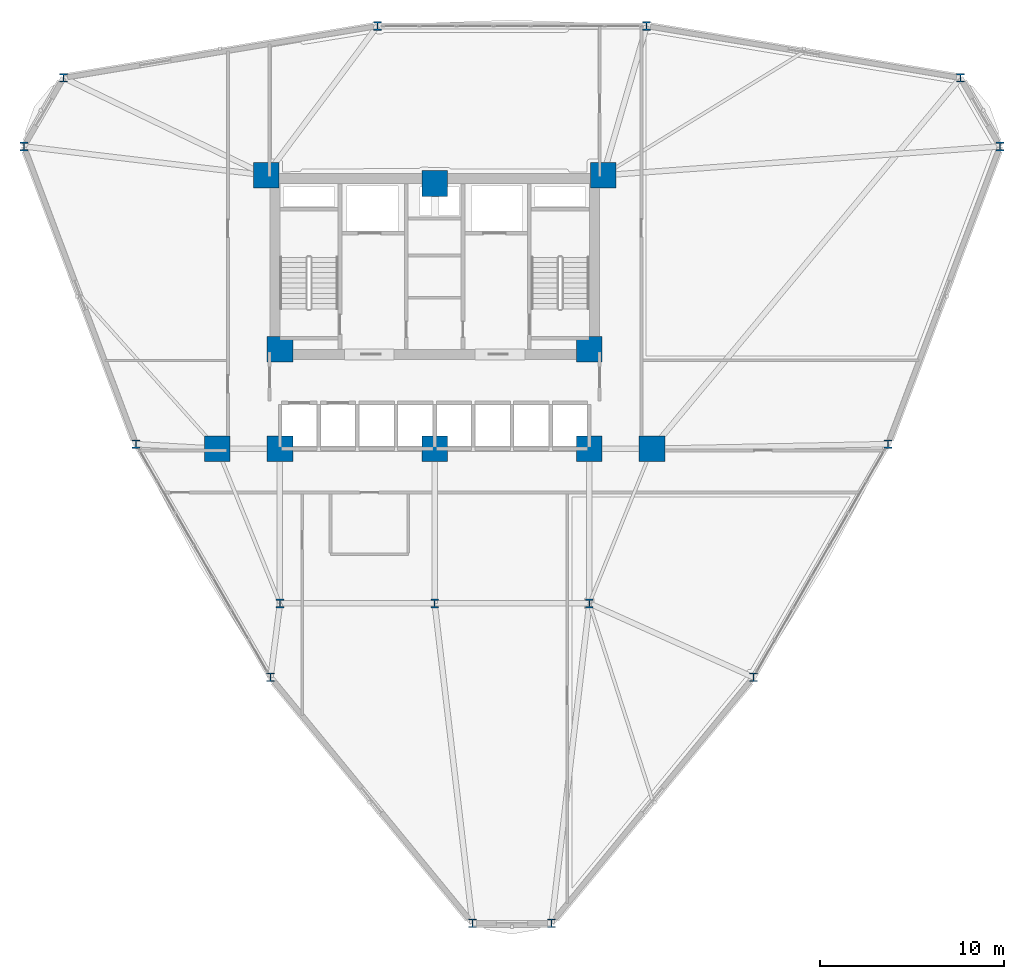
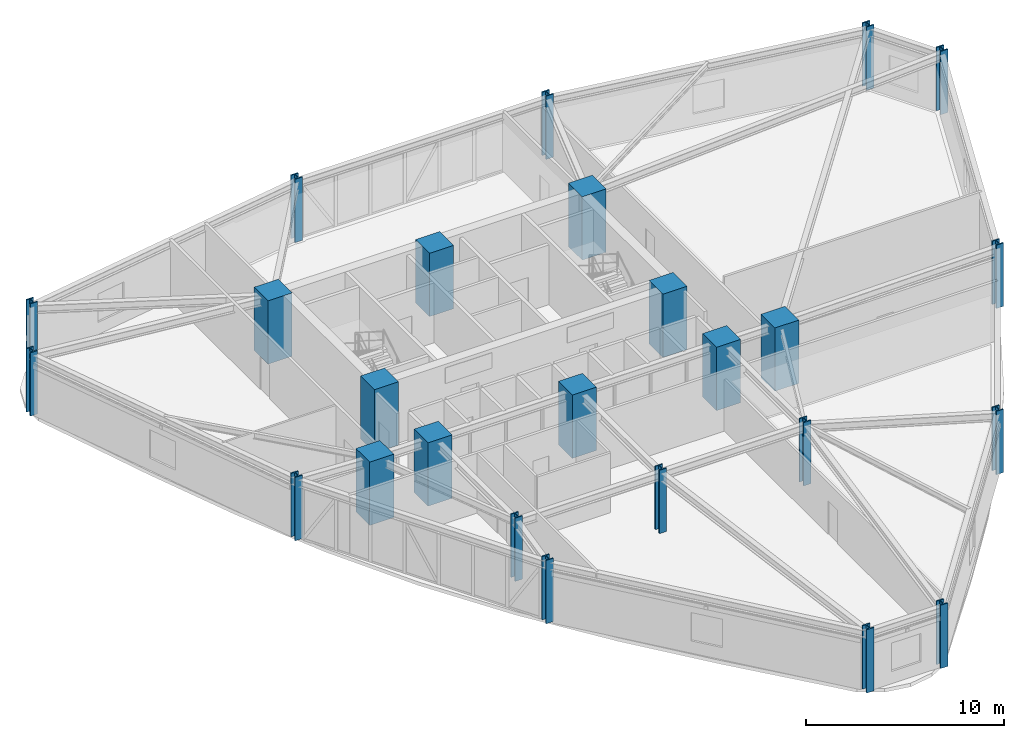
# One storey, part 1 of 20: 25 columns.
"""IFC4 building model written with IfcOpenShell, lengths in metres."""

from ifc_helpers import new_model, si_unit, derived_unit, direction, frame, origin, origin_2d, place, context, subcontext, project, spatial, rectangle, i_section, extrude, source, transform, mapped, material, material_profile, profile_set, type_object, element, save


model = new_model("IFC4")

# Units and contexts
model_context = context("Model", 3, precision=1e-05, world=origin(), true_north=direction((0.0, 1.0)))
body_context = subcontext(model_context, "Body", "Model", "MODEL_VIEW")
ifc_project = project(units=[si_unit("LENGTHUNIT", "METRE"), si_unit("AREAUNIT", "SQUARE_METRE"), si_unit("VOLUMEUNIT", "CUBIC_METRE"), si_unit("PLANEANGLEUNIT", "RADIAN"), si_unit("MASSUNIT", "GRAM", prefix="KILO"), derived_unit("THERMALTRANSMITTANCEUNIT", [(si_unit("POWERUNIT", "WATT"), 1), (si_unit("LENGTHUNIT", "METRE"), -2), (si_unit("THERMODYNAMICTEMPERATUREUNIT", "KELVIN"), -1)])], contexts=[model_context])

# Site, building, storey
site_placement = place(None, origin())
site = spatial("IfcSite", under=ifc_project, at=site_placement, CompositionType="ELEMENT")
building_placement = place(site_placement, origin())
building = spatial("IfcBuilding", under=site, at=building_placement, Name="Korsvarv Bourse and Concert Hall", CompositionType="ELEMENT")
storey_placement = place(building_placement, frame((0.0, 0.0, 87.300048828125)))
storey = spatial("IfcBuildingStorey", under=building, at=storey_placement, Name="L21", CompositionType="ELEMENT", Elevation=87.300048828125)

# Columns
ifc_material_1 = material(Name="Concrete C60/75", Category="concrete")
ifc_material_profile_1 = material_profile(ifc_material_1, rectangle(XDim=1.39990234375, YDim=1.39990234375, at=origin_2d()), Name="RC 1400x1400")
ifc_profile_set_1 = profile_set([ifc_material_profile_1], Name="Concrete C60/75")
column_type_1 = type_object("IfcColumnType", Name="COL-RC1400", PredefinedType="COLUMN", material=ifc_profile_set_1)
shared_shape_1 = source(origin(), body_context, "Body", "SweptSolid", [
    extrude(rectangle(XDim=1.39990234375, YDim=1.39990234375, at=origin_2d()), origin(), (0.0, 0.0, 1.0), 3.89990234375),
])
for number, where, z_axis, x_axis, name in (
    (1, (26.85009765625, 47.25, 0.0), (0.0, 0.0, 1.0), (1.0, 0.0, 0.0), "L21 column C-01"),
    (2, (45.14990234375, 47.25, 0.0), (0.0, 0.0, 1.0), (1.0, 0.0, 0.0), "L21 column C-01"),
    (3, (27.60009765625, 37.800048828125, 0.0), (0.0, 0.0, 1.0), (1.0, 0.0, 0.0), "L21 column C-01"),
    (4, (44.39990234375, 37.800048828125, 0.0), (0.0, 0.0, 1.0), (1.0, 0.0, 0.0), "L21 column C-01"),
    (5, (27.60009765625, 32.39990234375, 0.0), (0.0, 0.0, 1.0), (1.0, 0.0, 0.0), "L21 column C-01"),
    (6, (44.39990234375, 32.39990234375, 0.0), (0.0, 0.0, 1.0), (1.0, 0.0, 0.0), "L21 column C-01"),
    (7, (36.0, 46.800048828125, 0.0), (0.0, 0.0, 1.0), (1.0, 0.0, 0.0), "L21 column C-01"),
    (8, (36.0, 32.39990234375, 0.0), (0.0, 0.0, 1.0), (1.0, 0.0, 0.0), "L21 column C-01"),
    (9, (24.199951171875, 32.39990234375, 0.0), (0.0, 0.0, 1.0), (1.0, 0.0, 0.0), "L21 column C-01"),
    (10, (47.800048828125, 32.39990234375, 0.0), (0.0, 0.0, 1.0), (1.0, 0.0, 0.0), "L21 column C-01"),
):
    element("IfcColumn", number, at=place(storey_placement, frame(where, z_axis=z_axis, x_axis=x_axis)), inside=storey, type_object=column_type_1, Name=name, PredefinedType="COLUMN", context=body_context, shape_type="MappedRepresentation", body=[
        mapped(shared_shape_1, transform((0.0, 0.0, 0.0), scale=1.0)),
    ])
ifc_material_2 = material(Name="Steel S460", Category="steel")
ifc_material_profile_2 = material_profile(ifc_material_2, i_section(OverallWidth=0.424072265625, OverallDepth=0.47412109375, WebThickness=0.044921875, FlangeThickness=0.072021484375, FilletRadius=0.014892578125, at=origin_2d()), Name="HD 400x634")
ifc_profile_set_2 = profile_set([ifc_material_profile_2], Name="Steel S460")
column_type_2 = type_object("IfcColumnType", Name="COL-HD634", PredefinedType="COLUMN", material=ifc_profile_set_2)
shared_shape_2 = source(origin(), body_context, "Body", "SweptSolid", [
    extrude(i_section(OverallWidth=0.424072265625, OverallDepth=0.47412109375, WebThickness=0.044921875, FlangeThickness=0.072021484375, FilletRadius=0.014892578125, at=origin_2d()), origin(), (0.0, 0.0, 1.0), 3.89990234375),
])
for number, where, z_axis, x_axis, name in (
    (11, (27.60009765625, 24.0, 0.0), (0.0, 0.0, 1.0), (1.0, 0.0, 0.0), "L21 column C-07"),
    (12, (44.39990234375, 24.0, 0.0), (0.0, 0.0, 1.0), (1.0, 0.0, 0.0), "L21 column C-07"),
    (13, (36.0, 24.0, 0.0), (0.0, 0.0, 1.0), (1.0, 0.0, 0.0), "L21 column C-07"),
    (14, (66.705078125, 48.819580078125, 0.0), (0.0, 0.0, 1.0), (1.0, 0.0, 0.0), "L21 column C-07"),
    (15, (64.554443359375, 52.544189453125, 0.0), (0.0, 0.0, 1.0), (1.0, 0.0, 0.0), "L21 column C-07"),
    (16, (47.509033203125, 55.35791015625, 0.0), (0.0, 0.0, 1.0), (1.0, 0.0, 0.0), "L21 column C-07"),
    (17, (32.89111328125, 55.35791015625, 0.0), (0.0, 0.0, 1.0), (1.0, 0.0, 0.0), "L21 column C-07"),
    (18, (15.845458984375, 52.544189453125, 0.0), (0.0, 0.0, 1.0), (1.0, 0.0, 0.0), "L21 column C-07"),
    (19, (13.695068359375, 48.819580078125, 0.0), (0.0, 0.0, 1.0), (1.0, 0.0, 0.0), "L21 column C-07"),
    (20, (19.781005859375, 32.65087890625, 0.0), (0.0, 0.0, 1.0), (1.0, 0.0, 0.0), "L21 column C-07"),
    (21, (27.090087890625, 19.9912109375, 0.0), (0.0, 0.0, 1.0), (1.0, 0.0, 0.0), "L21 column C-07"),
    (22, (38.049560546875, 6.63623046875, 0.0), (0.0, 0.0, 1.0), (1.0, 0.0, 0.0), "L21 column C-07"),
    (23, (42.3505859375, 6.63623046875, 0.0), (0.0, 0.0, 1.0), (1.0, 0.0, 0.0), "L21 column C-07"),
    (24, (53.309814453125, 19.9912109375, 0.0), (0.0, 0.0, 1.0), (1.0, 0.0, 0.0), "L21 column C-07"),
    (25, (60.618896484375, 32.65087890625, 0.0), (0.0, 0.0, 1.0), (1.0, 0.0, 0.0), "L21 column C-07"),
):
    element("IfcColumn", number, at=place(storey_placement, frame(where, z_axis=z_axis, x_axis=x_axis)), inside=storey, type_object=column_type_2, Name=name, PredefinedType="COLUMN", context=body_context, shape_type="MappedRepresentation", body=[
        mapped(shared_shape_2, transform((0.0, 0.0, 0.0), scale=1.0)),
    ])

save(model, "model.ifc")
